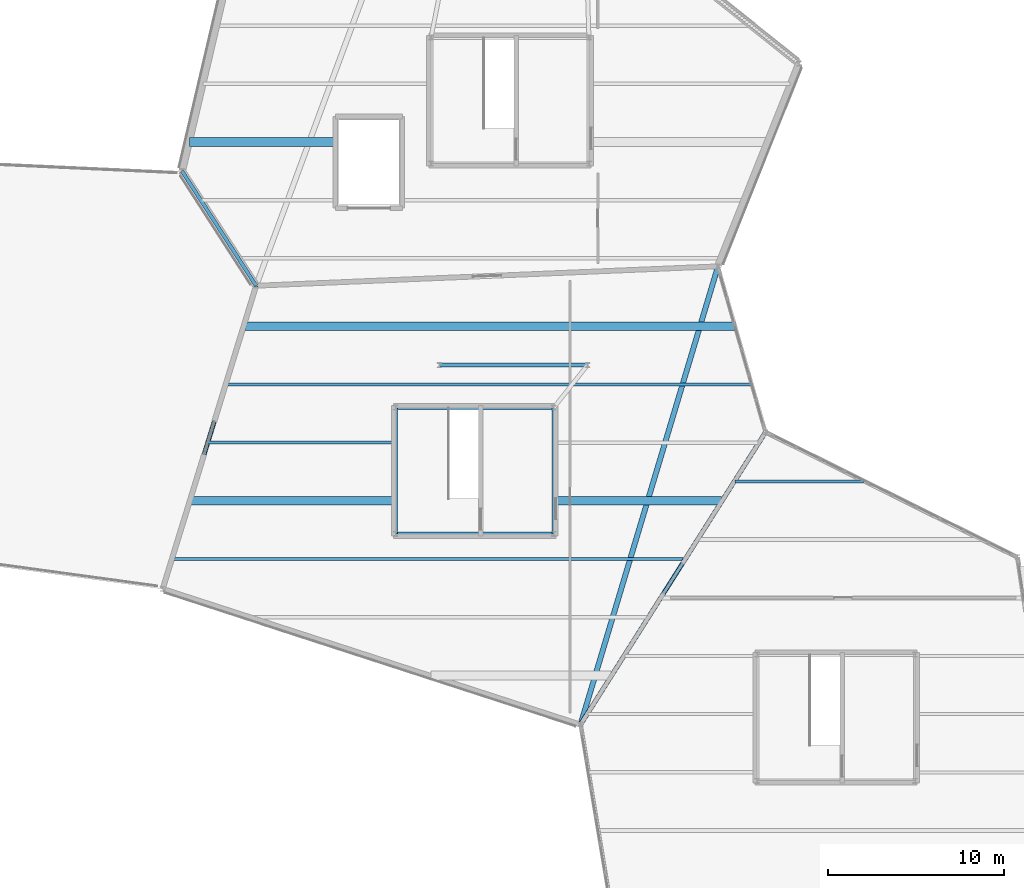
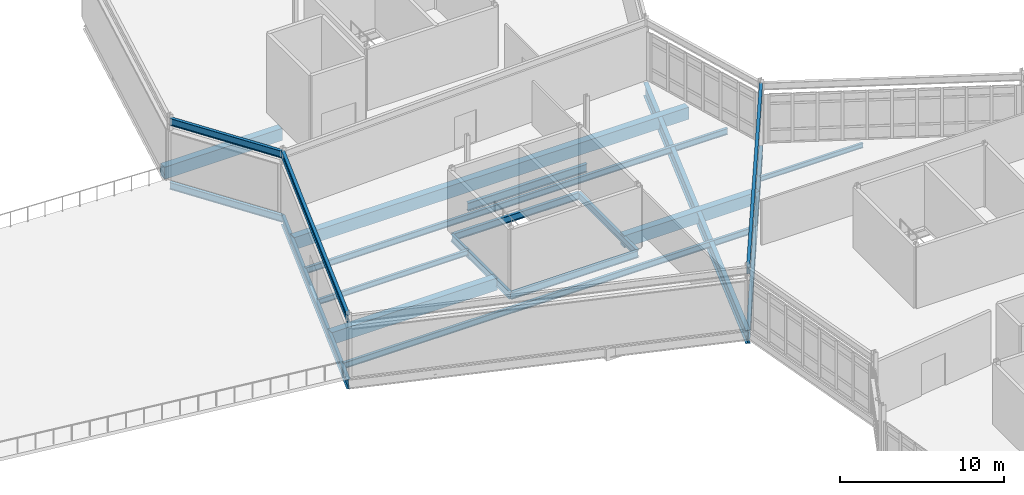
# One storey, part 31 of 76: 20 beams.
"""IFC4 building model written with IfcOpenShell, lengths in metres."""

from ifc_helpers import new_model, si_unit, direction, frame, origin, origin_2d, place, context, subcontext, project, spatial, rectangle, i_section, extrude, material, material_profile, profile_set, type_object, element, save


model = new_model("IFC4")

# Units and contexts
model_context = context("Model", 3, precision=1e-05, world=origin(), true_north=direction((0.0, 1.0)))
body_context = subcontext(model_context, "Body", "Model", "MODEL_VIEW")
ifc_project = project(units=[si_unit("LENGTHUNIT", "METRE"), si_unit("AREAUNIT", "SQUARE_METRE"), si_unit("VOLUMEUNIT", "CUBIC_METRE"), si_unit("PLANEANGLEUNIT", "RADIAN"), si_unit("MASSUNIT", "GRAM", prefix="KILO")], contexts=[model_context])

# Site, building, storey
site_placement = place(None, origin())
site = spatial("IfcSite", under=ifc_project, at=site_placement, CompositionType="ELEMENT")
building_placement = place(site_placement, origin())
building = spatial("IfcBuilding", under=site, at=building_placement, Name="Tameran Prism Museum", CompositionType="ELEMENT")
storey_placement = place(building_placement, frame((0.0, 0.0, 15.0)))
storey = spatial("IfcBuildingStorey", under=building, at=storey_placement, Name="L03", CompositionType="ELEMENT", Elevation=15.0)

# Beams
ifc_material_1 = material(Name="Steel Grade 300PLUS (300 MPa)", Category="steel")
ifc_material_profile_1 = material_profile(ifc_material_1, i_section(OverallWidth=0.1708984375, OverallDepth=0.35595703125, WebThickness=0.00732421875, FlangeThickness=0.011474609375, FilletRadius=0.011474609375, at=origin_2d()))
ifc_profile_set_1 = profile_set([ifc_material_profile_1])
beam_type_1 = type_object("IfcBeamType", Name="BM-J360B", PredefinedType="JOIST", material=ifc_profile_set_1)
beam_1_placement = place(storey_placement, frame((58.77587890625, 70.39990234375, -0.3779296875), z_axis=(1.0, 0.0, 0.0), x_axis=(0.0, 1.0, 0.0)))
element("IfcBeam", 1, at=beam_1_placement, inside=storey, type_object=beam_type_1, Name="Floor Beam BM-1103", PredefinedType="JOIST", context=body_context, shape_type="SweptSolid", body=[
    extrude(i_section(OverallWidth=0.1708984375, OverallDepth=0.35595703125, WebThickness=0.00732421875, FlangeThickness=0.011474609375, FilletRadius=0.011474609375, at=origin_2d()), origin(), (0.0, 0.0, 1.0), 7.273193359375),
])
ifc_material_2 = material(Name="Steel Grade 300PLUS (300 MPa)", Category="steel")
ifc_material_profile_2 = material_profile(ifc_material_2, i_section(OverallWidth=0.177978515625, OverallDepth=0.406005859375, WebThickness=0.0078125, FlangeThickness=0.0126953125, FilletRadius=0.011474609375, at=origin_2d()))
ifc_profile_set_2 = profile_set([ifc_material_profile_2])
beam_type_2 = type_object("IfcBeamType", Name="BM-J410A", PredefinedType="JOIST", material=ifc_profile_set_2)
beam_2_placement = place(storey_placement, frame((28.89892578125, 72.60009765625, -0.403076171875), z_axis=(1.0, 0.0, 0.0), x_axis=(0.0, 1.0, 0.0)))
element("IfcBeam", 2, at=beam_2_placement, inside=storey, type_object=beam_type_2, Name="Floor Beam BM-1125", PredefinedType="JOIST", context=body_context, shape_type="SweptSolid", body=[
    extrude(i_section(OverallWidth=0.177978515625, OverallDepth=0.406005859375, WebThickness=0.0078125, FlangeThickness=0.0126953125, FilletRadius=0.011474609375, at=origin_2d()), origin(), (0.0, 0.0, 1.0), 10.62109375),
])
ifc_material_3 = material(Name="Steel Grade 300PLUS (300 MPa)", Category="steel")
ifc_material_profile_3 = material_profile(ifc_material_3, i_section(OverallWidth=0.19091796875, OverallDepth=0.4599609375, WebThickness=0.010009765625, FlangeThickness=0.01611328125, FilletRadius=0.011474609375, at=origin_2d()))
ifc_profile_set_3 = profile_set([ifc_material_profile_3])
beam_type_3 = type_object("IfcBeamType", Name="BM-J460A", PredefinedType="JOIST", material=ifc_profile_set_3)
beam_3_placement = place(storey_placement, frame((26.865966796875, 66.0, -0.429931640625), z_axis=(1.0, 0.0, 0.0), x_axis=(0.0, 1.0, 0.0)))
element("IfcBeam", 3, at=beam_3_placement, inside=storey, type_object=beam_type_3, Name="Floor Beam BM-1122", PredefinedType="JOIST", context=body_context, shape_type="SweptSolid", body=[
    extrude(i_section(OverallWidth=0.19091796875, OverallDepth=0.4599609375, WebThickness=0.010009765625, FlangeThickness=0.01611328125, FilletRadius=0.011474609375, at=origin_2d()), origin(), (0.0, 0.0, 1.0), 29.031982421875),
])
beam_4_placement = place(storey_placement, frame((29.916015625, 75.89990234375, -0.429931640625), z_axis=(1.0, 0.0, 0.0), x_axis=(0.0, 1.0, 0.0)))
element("IfcBeam", 4, at=beam_4_placement, inside=storey, type_object=beam_type_3, Name="Floor Beam BM-1127", PredefinedType="JOIST", context=body_context, shape_type="SweptSolid", body=[
    extrude(i_section(OverallWidth=0.19091796875, OverallDepth=0.4599609375, WebThickness=0.010009765625, FlangeThickness=0.01611328125, FilletRadius=0.011474609375, at=origin_2d()), origin(), (0.0, 0.0, 1.0), 29.76708984375),
])
ifc_material_4 = material(Name="Concrete N40 (40 MPa)", Category="concrete")
ifc_material_profile_4 = material_profile(ifc_material_4, rectangle(XDim=0.5, YDim=0.89990234375, at=origin_2d()))
ifc_profile_set_4 = profile_set([ifc_material_profile_4])
beam_type_4 = type_object("IfcBeamType", Name="BM-RC900", PredefinedType="BEAM", material=ifc_profile_set_4)
beam_5_placement = place(storey_placement, frame((27.883056640625, 69.300048828125, -0.64990234375), z_axis=(1.0, 0.0, 0.0), x_axis=(0.0, 1.0, 0.0)))
element("IfcBeam", 5, at=beam_5_placement, inside=storey, type_object=beam_type_4, Name="Floor Beam BM-1123", PredefinedType="BEAM", context=body_context, shape_type="SweptSolid", body=[
    extrude(rectangle(XDim=0.5, YDim=0.89990234375, at=origin_2d()), origin(), (0.0, 0.0, 1.0), 11.636962890625),
])
beam_6_placement = place(storey_placement, frame((48.47998046875, 69.300048828125, -0.64990234375), z_axis=(1.0, 0.0, 0.0), x_axis=(0.0, 1.0, 0.0)))
element("IfcBeam", 6, at=beam_6_placement, inside=storey, type_object=beam_type_4, Name="Floor Beam BM-1124", PredefinedType="BEAM", context=body_context, shape_type="SweptSolid", body=[
    extrude(rectangle(XDim=0.5, YDim=0.89990234375, at=origin_2d()), origin(), (0.0, 0.0, 1.0), 9.506103515625),
])
beam_7_placement = place(storey_placement, frame((30.93310546875, 79.199951171875, -0.64990234375), z_axis=(1.0, 0.0, 0.0), x_axis=(0.0, 1.0, 0.0)))
element("IfcBeam", 7, at=beam_7_placement, inside=storey, type_object=beam_type_4, Name="Floor Beam BM-1128", PredefinedType="BEAM", context=body_context, shape_type="SweptSolid", body=[
    extrude(rectangle(XDim=0.5, YDim=0.89990234375, at=origin_2d()), origin(), (0.0, 0.0, 1.0), 27.802001953125),
])
beam_8_placement = place(storey_placement, frame((27.827880859375, 89.64990234375, -0.64990234375), z_axis=(1.0, 0.0, 0.0), x_axis=(0.0, 1.0, 0.0)))
element("IfcBeam", 8, at=beam_8_placement, inside=storey, type_object=beam_type_4, Name="Floor Beam BM-1132", PredefinedType="BEAM", context=body_context, shape_type="SweptSolid", body=[
    extrude(rectangle(XDim=0.5, YDim=0.89990234375, at=origin_2d()), origin(), (0.0, 0.0, 1.0), 8.292236328125),
])
ifc_material_5 = material(Name="Steel Grade 300PLUS (300 MPa)", Category="steel")
ifc_material_profile_5 = material_profile(ifc_material_5, i_section(OverallWidth=0.208984375, OverallDepth=0.528076171875, WebThickness=0.009521484375, FlangeThickness=0.01318359375, FilletRadius=0.013916015625, at=origin_2d()))
ifc_profile_set_5 = profile_set([ifc_material_profile_5])
beam_type_5 = type_object("IfcBeamType", Name="BM-SP530B", PredefinedType="SPANDREL", material=ifc_profile_set_5)
beam_9_placement = place(storey_placement, frame((60.5, 73.199951171875, 4.256103515625), z_axis=(-0.534570878454, -0.845123645338, 0.0), x_axis=(0.845123645338, -0.534570878454, 0.0)))
element("IfcBeam", 9, at=beam_9_placement, inside=storey, type_object=beam_type_5, Name="Roof Ring Beam RB-0973", PredefinedType="SPANDREL", context=body_context, shape_type="SweptSolid", body=[
    extrude(i_section(OverallWidth=0.208984375, OverallDepth=0.528076171875, WebThickness=0.009521484375, FlangeThickness=0.01318359375, FilletRadius=0.013916015625, at=origin_2d()), origin(), (0.0, 0.0, 1.0), 19.641845703125),
])
beam_10_placement = place(storey_placement, frame((31.60009765625, 81.5, 4.285888671875), z_axis=(-0.294479498062, -0.955657797133, 0.0), x_axis=(0.955657797133, -0.294479498062, 0.0)))
element("IfcBeam", 10, at=beam_10_placement, inside=storey, type_object=beam_type_5, Name="Roof Ring Beam RB-1000", PredefinedType="SPANDREL", context=body_context, shape_type="SweptSolid", body=[
    extrude(i_section(OverallWidth=0.208984375, OverallDepth=0.528076171875, WebThickness=0.009521484375, FlangeThickness=0.01318359375, FilletRadius=0.013916015625, at=origin_2d()), origin(), (0.0, 0.0, 1.0), 17.998046875),
])
for number, where, z_axis, x_axis, name in (
    (11, (27.39990234375, 88.0, -0.513916015625), (0.542733189748, -0.839905164138, 0.0), (0.839905164138, 0.542733189748, 0.0), "Perimeter Spandrel SP-1007"),
    (12, (27.39990234375, 88.0, 4.256103515625), (0.542733189748, -0.839905164138, 0.0), (0.839905164138, 0.542733189748, 0.0), "Roof Ring Beam RB-1012"),
):
    element("IfcBeam", number, at=place(storey_placement, frame(where, z_axis=z_axis, x_axis=x_axis)), inside=storey, type_object=beam_type_5, Name=name, PredefinedType="SPANDREL", context=body_context, shape_type="SweptSolid", body=[
        extrude(i_section(OverallWidth=0.208984375, OverallDepth=0.528076171875, WebThickness=0.009521484375, FlangeThickness=0.01318359375, FilletRadius=0.013916015625, at=origin_2d()), origin(), (0.0, 0.0, 1.0), 7.739013671875),
    ])
beam_11_placement = place(storey_placement, frame((39.52001953125, 67.419921875, -0.50390625), z_axis=(1.0, 0.0, 0.0), x_axis=(0.0, 1.0, 0.0)))
element("IfcBeam", 13, at=beam_11_placement, inside=storey, type_object=beam_type_5, Name="Core Ring Beam CTB-1038", PredefinedType="SPANDREL", context=body_context, shape_type="SweptSolid", body=[
    extrude(i_section(OverallWidth=0.208984375, OverallDepth=0.528076171875, WebThickness=0.009521484375, FlangeThickness=0.01318359375, FilletRadius=0.013916015625, at=origin_2d()), origin(), (0.0, 0.0, 1.0), 8.9599609375),
])
beam_12_placement = place(storey_placement, frame((48.47998046875, 67.419921875, -0.50390625), z_axis=(0.0, 1.0, 0.0), x_axis=(-1.0, 0.0, 0.0)))
element("IfcBeam", 14, at=beam_12_placement, inside=storey, type_object=beam_type_5, Name="Core Ring Beam CTB-1039", PredefinedType="SPANDREL", context=body_context, shape_type="SweptSolid", body=[
    extrude(i_section(OverallWidth=0.208984375, OverallDepth=0.528076171875, WebThickness=0.009521484375, FlangeThickness=0.01318359375, FilletRadius=0.013916015625, at=origin_2d()), origin(), (0.0, 0.0, 1.0), 7.16015625),
])
beam_13_placement = place(storey_placement, frame((48.47998046875, 74.580078125, -0.50390625), z_axis=(-1.0, 0.0, 0.0), x_axis=(0.0, -1.0, 0.0)))
element("IfcBeam", 15, at=beam_13_placement, inside=storey, type_object=beam_type_5, Name="Core Ring Beam CTB-1040", PredefinedType="SPANDREL", context=body_context, shape_type="SweptSolid", body=[
    extrude(i_section(OverallWidth=0.208984375, OverallDepth=0.528076171875, WebThickness=0.009521484375, FlangeThickness=0.01318359375, FilletRadius=0.013916015625, at=origin_2d()), origin(), (0.0, 0.0, 1.0), 8.9599609375),
])
beam_14_placement = place(storey_placement, frame((39.52001953125, 74.580078125, -0.50390625), z_axis=(0.0, -1.0, 0.0), x_axis=(1.0, 0.0, 0.0)))
element("IfcBeam", 16, at=beam_14_placement, inside=storey, type_object=beam_type_5, Name="Core Ring Beam CTB-1041", PredefinedType="SPANDREL", context=body_context, shape_type="SweptSolid", body=[
    extrude(i_section(OverallWidth=0.208984375, OverallDepth=0.528076171875, WebThickness=0.009521484375, FlangeThickness=0.01318359375, FilletRadius=0.013916015625, at=origin_2d()), origin(), (0.0, 0.0, 1.0), 7.16015625),
])
ifc_material_6 = material(Name="Steel Grade 350 (350 MPa)", Category="steel")
ifc_material_profile_6 = material_profile(ifc_material_6, i_section(OverallWidth=0.25, OverallDepth=0.699951171875, WebThickness=0.010009765625, FlangeThickness=0.02001953125, at=origin_2d()))
ifc_profile_set_6 = profile_set([ifc_material_profile_6])
beam_type_6 = type_object("IfcBeamType", Name="BM-SP700", PredefinedType="SPANDREL", material=ifc_profile_set_6)
beam_15_placement = place(storey_placement, frame((60.5, 73.199951171875, -0.550048828125), z_axis=(-0.534570878454, -0.845123645338, 0.0), x_axis=(0.845123645338, -0.534570878454, 0.0)))
element("IfcBeam", 17, at=beam_15_placement, inside=storey, type_object=beam_type_6, Name="Perimeter Spandrel SP-0969", PredefinedType="SPANDREL", context=body_context, shape_type="SweptSolid", body=[
    extrude(i_section(OverallWidth=0.25, OverallDepth=0.699951171875, WebThickness=0.010009765625, FlangeThickness=0.02001953125, at=origin_2d()), origin(), (0.0, 0.0, 1.0), 19.641845703125),
])
beam_16_placement = place(storey_placement, frame((31.60009765625, 81.5, -0.60009765625), z_axis=(-0.294479498062, -0.955657797133, 0.0), x_axis=(0.955657797133, -0.294479498062, 0.0)))
element("IfcBeam", 18, at=beam_16_placement, inside=storey, type_object=beam_type_6, Name="Perimeter Spandrel SP-0996", PredefinedType="SPANDREL", context=body_context, shape_type="SweptSolid", body=[
    extrude(i_section(OverallWidth=0.25, OverallDepth=0.699951171875, WebThickness=0.010009765625, FlangeThickness=0.02001953125, at=origin_2d()), origin(), (0.0, 0.0, 1.0), 17.998046875),
])
ifc_material_7 = material(Name="Steel Grade 300PLUS (300 MPa)", Category="steel")
ifc_material_profile_7 = material_profile(ifc_material_7, i_section(OverallWidth=0.22900390625, OverallDepth=0.612060546875, WebThickness=0.011962890625, FlangeThickness=0.01953125, FilletRadius=0.013916015625, at=origin_2d()))
ifc_profile_set_7 = profile_set([ifc_material_profile_7])
beam_type_7 = type_object("IfcBeamType", Name="BM-UB610A", PredefinedType="BEAM", material=ifc_profile_set_7)
beam_17_placement = place(storey_placement, frame((50.39990234375, 77.0, -0.56005859375), z_axis=(-1.0, 0.0, 0.0), x_axis=(0.0, -1.0, 0.0)))
element("IfcBeam", 19, at=beam_17_placement, inside=storey, type_object=beam_type_7, Name="Frame Tie Girder FG-1330", PredefinedType="BEAM", context=body_context, shape_type="SweptSolid", body=[
    extrude(i_section(OverallWidth=0.22900390625, OverallDepth=0.612060546875, WebThickness=0.011962890625, FlangeThickness=0.01953125, FilletRadius=0.013916015625, at=origin_2d()), origin(), (0.0, 0.0, 1.0), 8.39990234375),
])
ifc_material_8 = material(Name="Steel Grade 350 (350 MPa)", Category="steel")
ifc_material_profile_8 = material_profile(ifc_material_8, i_section(OverallWidth=0.300048828125, OverallDepth=1.0, WebThickness=0.01611328125, FlangeThickness=0.031982421875, at=origin_2d()))
ifc_profile_set_8 = profile_set([ifc_material_profile_8])
beam_type_8 = type_object("IfcBeamType", Name="BM-WB1000", PredefinedType="BEAM", material=ifc_profile_set_8)
beam_18_placement = place(storey_placement, frame((50.0, 56.60009765625, -0.699951171875), z_axis=(0.287349535842, 0.957825790137, 0.0), x_axis=(-0.957825790137, 0.287349535842, 0.0)))
element("IfcBeam", 20, at=beam_18_placement, inside=storey, type_object=beam_type_8, Name="Primary Vertex Girder PG-1002", PredefinedType="BEAM", context=body_context, shape_type="SweptSolid", body=[
    extrude(i_section(OverallWidth=0.300048828125, OverallDepth=1.0, WebThickness=0.01611328125, FlangeThickness=0.031982421875, at=origin_2d()), origin(), (0.0, 0.0, 1.0), 27.144775390625),
])

save(model, "model.ifc")
